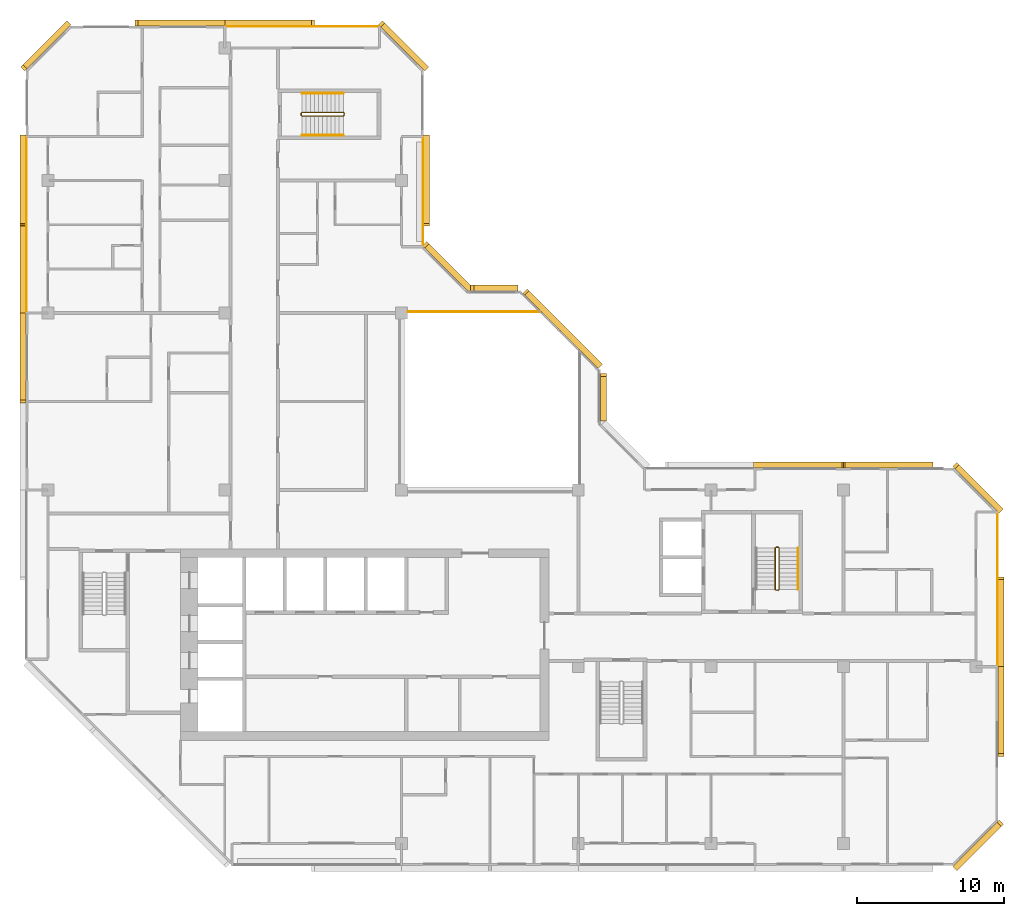
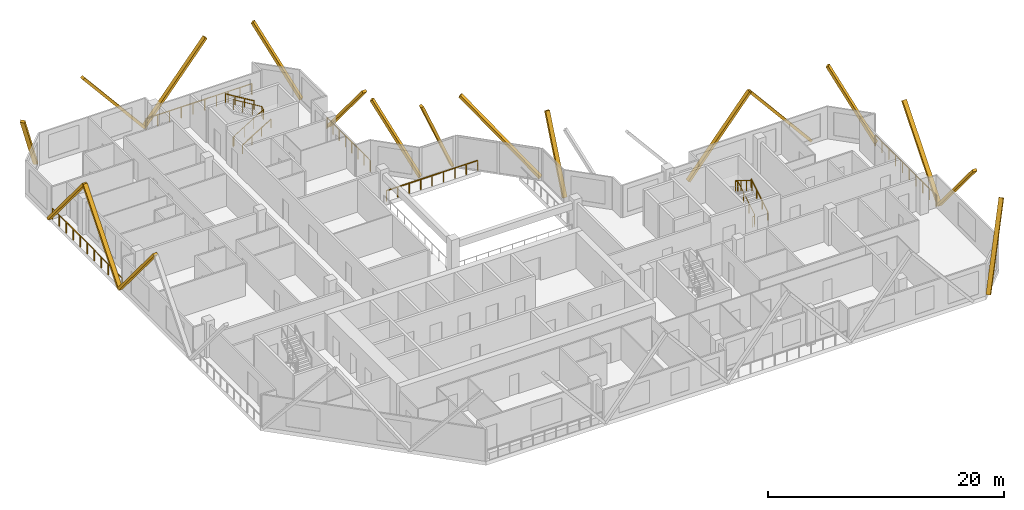
# One storey, part 13 of 13: 18 coverings, 10 railings.
"""IFC4 building model written with IfcOpenShell, lengths in metres."""

from ifc_helpers import new_model, si_unit, direction, frame, origin, origin_2d, place, context, subcontext, project, spatial, rectangle, extrude, material, material_profile, profile_set, type_object, element, save


model = new_model("IFC4")

# Units and contexts
model_context = context("Model", 3, precision=1e-05, world=origin(), true_north=direction((0.0, 1.0)))
body_context = subcontext(model_context, "Body", "Model", "MODEL_VIEW")
ifc_project = project(units=[si_unit("LENGTHUNIT", "METRE"), si_unit("AREAUNIT", "SQUARE_METRE"), si_unit("VOLUMEUNIT", "CUBIC_METRE"), si_unit("PLANEANGLEUNIT", "RADIAN"), si_unit("MASSUNIT", "GRAM", prefix="KILO")], contexts=[model_context])

# Site, building, storey
site_placement = place(None, origin())
site = spatial("IfcSite", under=ifc_project, at=site_placement, CompositionType="ELEMENT")
building_placement = place(site_placement, origin())
building = spatial("IfcBuilding", under=site, at=building_placement, Name="Chenar Terraces", CompositionType="ELEMENT")
storey_placement = place(building_placement, frame((0.0, 0.0, 295.89990234375)))
storey = spatial("IfcBuildingStorey", under=building, at=storey_placement, Name="L69", CompositionType="ELEMENT", Elevation=295.89990234375)

# Railings
ifc_material_1 = material(Name="Powder-coated steel", Category="steel")
railing_type_1 = type_object("IfcRailingType", Name="Guard 1100 steel rail with glass infill", PredefinedType="GUARDRAIL", material=ifc_material_1)
railing_1_placement = place(storey_placement, frame((24.449951171875, 36.10009765625, 0.0)))
element("IfcRailing", 1, at=railing_1_placement, inside=storey, type_object=railing_type_1, Name="Guard L69-2", PredefinedType="GUARDRAIL", context=body_context, shape_type="SweptSolid", body=[
    extrude(rectangle(XDim=0.06005859375, YDim=0.06005859375, at=origin_2d()), frame((0.0, 0.0, 1.070068359375), z_axis=(1.0, 0.0, 0.0), x_axis=(0.0, 1.0, 0.0)), (0.0, 0.0, 1.0), 8.949951171875),
    extrude(rectangle(XDim=0.050048828125, YDim=0.050048828125, at=origin_2d()), origin(), (0.0, 0.0, 1.0), 1.0400390625),
    extrude(rectangle(XDim=0.050048828125, YDim=0.050048828125, at=origin_2d()), frame((1.11865234375, 0.0, 0.0)), (0.0, 0.0, 1.0), 1.0400390625),
    extrude(rectangle(XDim=0.050048828125, YDim=0.050048828125, at=origin_2d()), frame((2.237548828125, 0.0, 0.0)), (0.0, 0.0, 1.0), 1.0400390625),
    extrude(rectangle(XDim=0.050048828125, YDim=0.050048828125, at=origin_2d()), frame((3.356201171875, 0.0, 0.0)), (0.0, 0.0, 1.0), 1.0400390625),
    extrude(rectangle(XDim=0.050048828125, YDim=0.050048828125, at=origin_2d()), frame((4.47509765625, 0.0, 0.0)), (0.0, 0.0, 1.0), 1.0400390625),
    extrude(rectangle(XDim=0.050048828125, YDim=0.050048828125, at=origin_2d()), frame((5.59375, 0.0, 0.0)), (0.0, 0.0, 1.0), 1.0400390625),
    extrude(rectangle(XDim=0.050048828125, YDim=0.050048828125, at=origin_2d()), frame((6.71240234375, 0.0, 0.0)), (0.0, 0.0, 1.0), 1.0400390625),
    extrude(rectangle(XDim=0.050048828125, YDim=0.050048828125, at=origin_2d()), frame((7.831298828125, 0.0, 0.0)), (0.0, 0.0, 1.0), 1.0400390625),
    extrude(rectangle(XDim=0.050048828125, YDim=0.050048828125, at=origin_2d()), frame((8.949951171875, 0.0, 0.0)), (0.0, 0.0, 1.0), 1.0400390625),
])
ifc_material_2 = material(Name="Stainless steel and glass", Category="steel")
railing_type_2 = type_object("IfcRailingType", Name="Loggia guard 1150", PredefinedType="GUARDRAIL", material=ifc_material_2)
railing_2_placement = place(storey_placement, frame((25.449951171875, 40.574951171875, 0.0)))
element("IfcRailing", 2, at=railing_2_placement, inside=storey, type_object=railing_type_2, Name="Loggia guard", PredefinedType="GUARDRAIL", context=body_context, shape_type="SweptSolid", body=[
    extrude(rectangle(XDim=0.048095703125, YDim=0.048095703125, at=origin_2d()), frame((0.0, 0.0, 1.1259765625), z_axis=(0.0, 1.0, 0.0), x_axis=(-1.0, 0.0, 0.0)), (0.0, 0.0, 1.0), 7.35009765625),
    extrude(rectangle(XDim=0.0419921875, YDim=0.0419921875, at=origin_2d()), origin(), (0.0, 0.0, 1.0), 1.101806640625),
    extrude(rectangle(XDim=0.0419921875, YDim=0.0419921875, at=origin_2d()), frame((0.0, 1.050048828125, 0.0)), (0.0, 0.0, 1.0), 1.101806640625),
    extrude(rectangle(XDim=0.0419921875, YDim=0.0419921875, at=origin_2d()), frame((0.0, 2.10009765625, 0.0)), (0.0, 0.0, 1.0), 1.101806640625),
    extrude(rectangle(XDim=0.0419921875, YDim=0.0419921875, at=origin_2d()), frame((0.0, 3.150146484375, 0.0)), (0.0, 0.0, 1.0), 1.101806640625),
    extrude(rectangle(XDim=0.0419921875, YDim=0.0419921875, at=origin_2d()), frame((0.0, 4.199951171875, 0.0)), (0.0, 0.0, 1.0), 1.101806640625),
    extrude(rectangle(XDim=0.0419921875, YDim=0.0419921875, at=origin_2d()), frame((0.0, 5.25, 0.0)), (0.0, 0.0, 1.0), 1.101806640625),
    extrude(rectangle(XDim=0.0419921875, YDim=0.0419921875, at=origin_2d()), frame((0.0, 6.300048828125, 0.0)), (0.0, 0.0, 1.0), 1.101806640625),
    extrude(rectangle(XDim=0.0419921875, YDim=0.0419921875, at=origin_2d()), frame((0.0, 7.35009765625, 0.0)), (0.0, 0.0, 1.0), 1.101806640625),
])
railing_3_placement = place(storey_placement, frame((64.449951171875, 12.074951171875, 0.0)))
element("IfcRailing", 3, at=railing_3_placement, inside=storey, type_object=railing_type_2, Name="Loggia guard", PredefinedType="GUARDRAIL", context=body_context, shape_type="SweptSolid", body=[
    extrude(rectangle(XDim=0.048095703125, YDim=0.048095703125, at=origin_2d()), frame((0.0, 0.0, 1.1259765625), z_axis=(0.0, 1.0, 0.0), x_axis=(-1.0, 0.0, 0.0)), (0.0, 0.0, 1.0), 10.35009765625),
    extrude(rectangle(XDim=0.0419921875, YDim=0.0419921875, at=origin_2d()), origin(), (0.0, 0.0, 1.0), 1.101806640625),
    extrude(rectangle(XDim=0.0419921875, YDim=0.0419921875, at=origin_2d()), frame((0.0, 1.14990234375, 0.0)), (0.0, 0.0, 1.0), 1.101806640625),
    extrude(rectangle(XDim=0.0419921875, YDim=0.0419921875, at=origin_2d()), frame((0.0, 2.300048828125, 0.0)), (0.0, 0.0, 1.0), 1.101806640625),
    extrude(rectangle(XDim=0.0419921875, YDim=0.0419921875, at=origin_2d()), frame((0.0, 3.449951171875, 0.0)), (0.0, 0.0, 1.0), 1.101806640625),
    extrude(rectangle(XDim=0.0419921875, YDim=0.0419921875, at=origin_2d()), frame((0.0, 4.60009765625, 0.0)), (0.0, 0.0, 1.0), 1.101806640625),
    extrude(rectangle(XDim=0.0419921875, YDim=0.0419921875, at=origin_2d()), frame((0.0, 5.75, 0.0)), (0.0, 0.0, 1.0), 1.101806640625),
    extrude(rectangle(XDim=0.0419921875, YDim=0.0419921875, at=origin_2d()), frame((0.0, 6.900146484375, 0.0)), (0.0, 0.0, 1.0), 1.101806640625),
    extrude(rectangle(XDim=0.0419921875, YDim=0.0419921875, at=origin_2d()), frame((0.0, 8.050048828125, 0.0)), (0.0, 0.0, 1.0), 1.101806640625),
    extrude(rectangle(XDim=0.0419921875, YDim=0.0419921875, at=origin_2d()), frame((0.0, 9.2001953125, 0.0)), (0.0, 0.0, 1.0), 1.101806640625),
    extrude(rectangle(XDim=0.0419921875, YDim=0.0419921875, at=origin_2d()), frame((0.0, 10.35009765625, 0.0)), (0.0, 0.0, 1.0), 1.101806640625),
])
railing_4_placement = place(storey_placement, frame((22.425048828125, 55.449951171875, 0.0)))
element("IfcRailing", 4, at=railing_4_placement, inside=storey, type_object=railing_type_2, Name="Loggia guard", PredefinedType="GUARDRAIL", context=body_context, shape_type="SweptSolid", body=[
    extrude(rectangle(XDim=0.048095703125, YDim=0.048095703125, at=origin_2d()), frame((0.0, 0.0, 1.1259765625), z_axis=(-1.0, 0.0, 0.0), x_axis=(0.0, -1.0, 0.0)), (0.0, 0.0, 1.0), 10.35009765625),
    extrude(rectangle(XDim=0.0419921875, YDim=0.0419921875, at=origin_2d()), origin(), (0.0, 0.0, 1.0), 1.101806640625),
    extrude(rectangle(XDim=0.0419921875, YDim=0.0419921875, at=origin_2d()), frame((-1.14990234375, 0.0, 0.0)), (0.0, 0.0, 1.0), 1.101806640625),
    extrude(rectangle(XDim=0.0419921875, YDim=0.0419921875, at=origin_2d()), frame((-2.300048828125, 0.0, 0.0)), (0.0, 0.0, 1.0), 1.101806640625),
    extrude(rectangle(XDim=0.0419921875, YDim=0.0419921875, at=origin_2d()), frame((-3.449951171875, 0.0, 0.0)), (0.0, 0.0, 1.0), 1.101806640625),
    extrude(rectangle(XDim=0.0419921875, YDim=0.0419921875, at=origin_2d()), frame((-4.60009765625, 0.0, 0.0)), (0.0, 0.0, 1.0), 1.101806640625),
    extrude(rectangle(XDim=0.0419921875, YDim=0.0419921875, at=origin_2d()), frame((-5.75, 0.0, 0.0)), (0.0, 0.0, 1.0), 1.101806640625),
    extrude(rectangle(XDim=0.0419921875, YDim=0.0419921875, at=origin_2d()), frame((-6.900146484375, 0.0, 0.0)), (0.0, 0.0, 1.0), 1.101806640625),
    extrude(rectangle(XDim=0.0419921875, YDim=0.0419921875, at=origin_2d()), frame((-8.050048828125, 0.0, 0.0)), (0.0, 0.0, 1.0), 1.101806640625),
    extrude(rectangle(XDim=0.0419921875, YDim=0.0419921875, at=origin_2d()), frame((-9.2001953125, 0.0, 0.0)), (0.0, 0.0, 1.0), 1.101806640625),
    extrude(rectangle(XDim=0.0419921875, YDim=0.0419921875, at=origin_2d()), frame((-10.35009765625, 0.0, 0.0)), (0.0, 0.0, 1.0), 1.101806640625),
])
railing_5_placement = place(storey_placement, frame((-1.449951171875, 47.925048828125, 0.0)))
element("IfcRailing", 5, at=railing_5_placement, inside=storey, type_object=railing_type_2, Name="Loggia guard", PredefinedType="GUARDRAIL", context=body_context, shape_type="SweptSolid", body=[
    extrude(rectangle(XDim=0.048095703125, YDim=0.048095703125, at=origin_2d()), frame((0.0, 0.0, 1.1259765625), z_axis=(0.0, -1.0, 0.0), x_axis=(1.0, 0.0, 0.0)), (0.0, 0.0, 1.0), 11.85009765625),
    extrude(rectangle(XDim=0.0419921875, YDim=0.0419921875, at=origin_2d()), origin(), (0.0, 0.0, 1.0), 1.101806640625),
    extrude(rectangle(XDim=0.0419921875, YDim=0.0419921875, at=origin_2d()), frame((0.0, -1.18505859375, 0.0)), (0.0, 0.0, 1.0), 1.101806640625),
    extrude(rectangle(XDim=0.0419921875, YDim=0.0419921875, at=origin_2d()), frame((0.0, -2.3701171875, 0.0)), (0.0, 0.0, 1.0), 1.101806640625),
    extrude(rectangle(XDim=0.0419921875, YDim=0.0419921875, at=origin_2d()), frame((0.0, -3.554931640625, 0.0)), (0.0, 0.0, 1.0), 1.101806640625),
    extrude(rectangle(XDim=0.0419921875, YDim=0.0419921875, at=origin_2d()), frame((0.0, -4.739990234375, 0.0)), (0.0, 0.0, 1.0), 1.101806640625),
    extrude(rectangle(XDim=0.0419921875, YDim=0.0419921875, at=origin_2d()), frame((0.0, -5.925048828125, 0.0)), (0.0, 0.0, 1.0), 1.101806640625),
    extrude(rectangle(XDim=0.0419921875, YDim=0.0419921875, at=origin_2d()), frame((0.0, -7.110107421875, 0.0)), (0.0, 0.0, 1.0), 1.101806640625),
    extrude(rectangle(XDim=0.0419921875, YDim=0.0419921875, at=origin_2d()), frame((0.0, -8.295166015625, 0.0)), (0.0, 0.0, 1.0), 1.101806640625),
    extrude(rectangle(XDim=0.0419921875, YDim=0.0419921875, at=origin_2d()), frame((0.0, -9.47998046875, 0.0)), (0.0, 0.0, 1.0), 1.101806640625),
    extrude(rectangle(XDim=0.0419921875, YDim=0.0419921875, at=origin_2d()), frame((0.0, -10.6650390625, 0.0)), (0.0, 0.0, 1.0), 1.101806640625),
    extrude(rectangle(XDim=0.0419921875, YDim=0.0419921875, at=origin_2d()), frame((0.0, -11.85009765625, 0.0)), (0.0, 0.0, 1.0), 1.101806640625),
])
ifc_material_3 = material(Name="Powder-coated steel", Category="steel")
railing_type_3 = type_object("IfcRailingType", Name="Stair guard 1100", PredefinedType="GUARDRAIL", material=ifc_material_3)
railing_6_placement = place(storey_placement, frame((49.375, 17.25, 3.75)))
element("IfcRailing", 6, at=railing_6_placement, inside=storey, type_object=railing_type_3, Name="L69 ST3 stair guard 1", PredefinedType="GUARDRAIL", context=body_context, shape_type="SweptSolid", body=[
    extrude(rectangle(XDim=0.048095703125, YDim=0.048095703125, at=origin_2d()), frame((0.0, 0.0, 1.076171875), z_axis=(0.0, 0.854202870247, -0.519939858505), x_axis=(-1.0, 0.0, 0.0)), (0.0, 0.0, 1.0), 3.278076171875),
    extrude(rectangle(XDim=0.048095703125, YDim=0.048095703125, at=origin_2d()), frame((0.0, 2.800048828125, -0.62841796875), z_axis=(0.270899902878, 0.270899902878, -0.923702595667), x_axis=(-0.707106781187, 0.707106781187, 0.0)), (0.0, 0.0, 1.0), 0.184814453125),
    extrude(rectangle(XDim=0.048095703125, YDim=0.048095703125, at=origin_2d()), frame((0.050048828125, 2.85009765625, -0.798828125), z_axis=(1.0, 0.0, 0.0), x_axis=(0.0, 1.0, 0.0)), (0.0, 0.0, 1.0), 0.14990234375),
    extrude(rectangle(XDim=0.048095703125, YDim=0.048095703125, at=origin_2d()), frame((0.199951171875, 2.85009765625, -0.798828125), z_axis=(0.707106781187, -0.707106781187, 0.0), x_axis=(0.707106781187, 0.707106781187, 0.0)), (0.0, 0.0, 1.0), 0.07080078125),
    extrude(rectangle(XDim=0.048095703125, YDim=0.048095703125, at=origin_2d()), frame((0.25, 2.800048828125, -0.798828125), z_axis=(0.0, -0.854202870247, -0.519939858505), x_axis=(1.0, 0.0, 0.0)), (0.0, 0.0, 1.0), 3.278076171875),
    extrude(rectangle(XDim=0.048095703125, YDim=0.048095703125, at=origin_2d()), frame((0.25, 0.0, -2.50341796875), z_axis=(-0.270899902878, -0.270899902878, -0.923702595667), x_axis=(0.707106781187, -0.707106781187, 0.0)), (0.0, 0.0, 1.0), 0.184814453125),
    extrude(rectangle(XDim=0.048095703125, YDim=0.048095703125, at=origin_2d()), frame((0.199951171875, -0.050048828125, -2.673828125), z_axis=(-1.0, 0.0, 0.0), x_axis=(0.0, -1.0, 0.0)), (0.0, 0.0, 1.0), 0.14990234375),
    extrude(rectangle(XDim=0.0419921875, YDim=0.0419921875, at=origin_2d()), origin(), (0.0, 0.0, 1.0), 1.052001953125),
    extrude(rectangle(XDim=0.0419921875, YDim=0.0419921875, at=origin_2d()), frame((0.0, 0.933349609375, -0.568115234375)), (0.0, 0.0, 1.0), 1.052001953125),
    extrude(rectangle(XDim=0.0419921875, YDim=0.0419921875, at=origin_2d()), frame((0.0, 1.86669921875, -1.13623046875)), (0.0, 0.0, 1.0), 1.052001953125),
    extrude(rectangle(XDim=0.0419921875, YDim=0.0419921875, at=origin_2d()), frame((0.0, 2.800048828125, -1.704345703125)), (0.0, 0.0, 1.0), 1.052001953125),
    extrude(rectangle(XDim=0.0419921875, YDim=0.0419921875, at=origin_2d()), frame((0.050048828125, 2.85009765625, -1.875)), (0.0, 0.0, 1.0), 1.052001953125),
    extrude(rectangle(XDim=0.0419921875, YDim=0.0419921875, at=origin_2d()), frame((0.199951171875, 2.85009765625, -1.875)), (0.0, 0.0, 1.0), 1.052001953125),
    extrude(rectangle(XDim=0.0419921875, YDim=0.0419921875, at=origin_2d()), frame((0.25, 2.800048828125, -1.875)), (0.0, 0.0, 1.0), 1.052001953125),
    extrude(rectangle(XDim=0.0419921875, YDim=0.0419921875, at=origin_2d()), frame((0.25, 1.86669921875, -2.443115234375)), (0.0, 0.0, 1.0), 1.052001953125),
    extrude(rectangle(XDim=0.0419921875, YDim=0.0419921875, at=origin_2d()), frame((0.25, 0.933349609375, -3.01123046875)), (0.0, 0.0, 1.0), 1.052001953125),
    extrude(rectangle(XDim=0.0419921875, YDim=0.0419921875, at=origin_2d()), frame((0.25, 0.0, -3.579345703125)), (0.0, 0.0, 1.0), 1.052001953125),
    extrude(rectangle(XDim=0.0419921875, YDim=0.0419921875, at=origin_2d()), frame((0.199951171875, -0.050048828125, -3.75)), (0.0, 0.0, 1.0), 1.052001953125),
    extrude(rectangle(XDim=0.0419921875, YDim=0.0419921875, at=origin_2d()), frame((0.050048828125, -0.050048828125, -3.75)), (0.0, 0.0, 1.0), 1.052001953125),
])
railing_7_placement = place(storey_placement, frame((17.25, 49.625, 3.75)))
element("IfcRailing", 7, at=railing_7_placement, inside=storey, type_object=railing_type_3, Name="L69 ST4 stair guard 1", PredefinedType="GUARDRAIL", context=body_context, shape_type="SweptSolid", body=[
    extrude(rectangle(XDim=0.048095703125, YDim=0.048095703125, at=origin_2d()), frame((0.0, 0.0, 1.076171875), z_axis=(0.854202870247, 0.0, -0.519939858505), x_axis=(0.0, 1.0, 0.0)), (0.0, 0.0, 1.0), 3.278076171875),
    extrude(rectangle(XDim=0.048095703125, YDim=0.048095703125, at=origin_2d()), frame((2.800048828125, 0.0, -0.62841796875), z_axis=(0.270899902878, -0.270899902878, -0.923702595667), x_axis=(0.707106781187, 0.707106781187, 0.0)), (0.0, 0.0, 1.0), 0.184814453125),
    extrude(rectangle(XDim=0.048095703125, YDim=0.048095703125, at=origin_2d()), frame((2.85009765625, -0.050048828125, -0.798828125), z_axis=(0.0, -1.0, 0.0), x_axis=(1.0, 0.0, 0.0)), (0.0, 0.0, 1.0), 0.14990234375),
    extrude(rectangle(XDim=0.048095703125, YDim=0.048095703125, at=origin_2d()), frame((2.85009765625, -0.199951171875, -0.798828125), z_axis=(-0.707106781187, -0.707106781187, 0.0), x_axis=(0.707106781187, -0.707106781187, 0.0)), (0.0, 0.0, 1.0), 0.07080078125),
    extrude(rectangle(XDim=0.048095703125, YDim=0.048095703125, at=origin_2d()), frame((2.800048828125, -0.25, -0.798828125), z_axis=(-0.854202870247, 0.0, -0.519939858505), x_axis=(0.0, -1.0, 0.0)), (0.0, 0.0, 1.0), 3.278076171875),
    extrude(rectangle(XDim=0.048095703125, YDim=0.048095703125, at=origin_2d()), frame((0.0, -0.25, -2.50341796875), z_axis=(-0.270899902878, 0.270899902878, -0.923702595667), x_axis=(-0.707106781187, -0.707106781187, 0.0)), (0.0, 0.0, 1.0), 0.184814453125),
    extrude(rectangle(XDim=0.048095703125, YDim=0.048095703125, at=origin_2d()), frame((-0.050048828125, -0.199951171875, -2.673828125), z_axis=(0.0, 1.0, 0.0), x_axis=(-1.0, 0.0, 0.0)), (0.0, 0.0, 1.0), 0.14990234375),
    extrude(rectangle(XDim=0.0419921875, YDim=0.0419921875, at=origin_2d()), origin(), (0.0, 0.0, 1.0), 1.052001953125),
    extrude(rectangle(XDim=0.0419921875, YDim=0.0419921875, at=origin_2d()), frame((0.933349609375, 0.0, -0.568115234375)), (0.0, 0.0, 1.0), 1.052001953125),
    extrude(rectangle(XDim=0.0419921875, YDim=0.0419921875, at=origin_2d()), frame((1.86669921875, 0.0, -1.13623046875)), (0.0, 0.0, 1.0), 1.052001953125),
    extrude(rectangle(XDim=0.0419921875, YDim=0.0419921875, at=origin_2d()), frame((2.800048828125, 0.0, -1.704345703125)), (0.0, 0.0, 1.0), 1.052001953125),
    extrude(rectangle(XDim=0.0419921875, YDim=0.0419921875, at=origin_2d()), frame((2.85009765625, -0.050048828125, -1.875)), (0.0, 0.0, 1.0), 1.052001953125),
    extrude(rectangle(XDim=0.0419921875, YDim=0.0419921875, at=origin_2d()), frame((2.85009765625, -0.199951171875, -1.875)), (0.0, 0.0, 1.0), 1.052001953125),
    extrude(rectangle(XDim=0.0419921875, YDim=0.0419921875, at=origin_2d()), frame((2.800048828125, -0.25, -1.875)), (0.0, 0.0, 1.0), 1.052001953125),
    extrude(rectangle(XDim=0.0419921875, YDim=0.0419921875, at=origin_2d()), frame((1.86669921875, -0.25, -2.443115234375)), (0.0, 0.0, 1.0), 1.052001953125),
    extrude(rectangle(XDim=0.0419921875, YDim=0.0419921875, at=origin_2d()), frame((0.933349609375, -0.25, -3.01123046875)), (0.0, 0.0, 1.0), 1.052001953125),
    extrude(rectangle(XDim=0.0419921875, YDim=0.0419921875, at=origin_2d()), frame((0.0, -0.25, -3.579345703125)), (0.0, 0.0, 1.0), 1.052001953125),
    extrude(rectangle(XDim=0.0419921875, YDim=0.0419921875, at=origin_2d()), frame((-0.050048828125, -0.199951171875, -3.75)), (0.0, 0.0, 1.0), 1.052001953125),
    extrude(rectangle(XDim=0.0419921875, YDim=0.0419921875, at=origin_2d()), frame((-0.050048828125, -0.050048828125, -3.75)), (0.0, 0.0, 1.0), 1.052001953125),
])
ifc_material_4 = material(Name="Powder-coated steel", Category="steel")
railing_type_4 = type_object("IfcRailingType", Name="Stair handrail 900", PredefinedType="HANDRAIL", material=ifc_material_4)
railing_8_placement = place(storey_placement, frame((50.925048828125, 17.25, 0.170654296875)))
element("IfcRailing", 8, at=railing_8_placement, inside=storey, type_object=railing_type_4, Name="L69 ST3 stair handrail 1", PredefinedType="HANDRAIL", context=body_context, shape_type="SweptSolid", body=[
    extrude(rectangle(XDim=0.048095703125, YDim=0.048095703125, at=origin_2d()), frame((0.0, 0.0, 0.8759765625), z_axis=(0.0, 0.854202870247, 0.519939858505), x_axis=(-1.0, 0.0, 0.0)), (0.0, 0.0, 1.0), 3.278076171875),
    extrude(rectangle(XDim=0.0419921875, YDim=0.0419921875, at=origin_2d()), origin(), (0.0, 0.0, 1.0), 0.851806640625),
    extrude(rectangle(XDim=0.0419921875, YDim=0.0419921875, at=origin_2d()), frame((0.0, 0.933349609375, 0.568115234375)), (0.0, 0.0, 1.0), 0.851806640625),
    extrude(rectangle(XDim=0.0419921875, YDim=0.0419921875, at=origin_2d()), frame((0.0, 1.86669921875, 1.13623046875)), (0.0, 0.0, 1.0), 0.851806640625),
    extrude(rectangle(XDim=0.0419921875, YDim=0.0419921875, at=origin_2d()), frame((0.0, 2.800048828125, 1.704345703125)), (0.0, 0.0, 1.0), 0.851806640625),
])
railing_9_placement = place(storey_placement, frame((17.25, 48.074951171875, 0.170654296875)))
element("IfcRailing", 9, at=railing_9_placement, inside=storey, type_object=railing_type_4, Name="L69 ST4 stair handrail 1", PredefinedType="HANDRAIL", context=body_context, shape_type="SweptSolid", body=[
    extrude(rectangle(XDim=0.048095703125, YDim=0.048095703125, at=origin_2d()), frame((0.0, 0.0, 0.8759765625), z_axis=(0.854202870247, 0.0, 0.519939858505), x_axis=(0.0, 1.0, 0.0)), (0.0, 0.0, 1.0), 3.278076171875),
    extrude(rectangle(XDim=0.0419921875, YDim=0.0419921875, at=origin_2d()), origin(), (0.0, 0.0, 1.0), 0.851806640625),
    extrude(rectangle(XDim=0.0419921875, YDim=0.0419921875, at=origin_2d()), frame((0.933349609375, 0.0, 0.568115234375)), (0.0, 0.0, 1.0), 0.851806640625),
    extrude(rectangle(XDim=0.0419921875, YDim=0.0419921875, at=origin_2d()), frame((1.86669921875, 0.0, 1.13623046875)), (0.0, 0.0, 1.0), 0.851806640625),
    extrude(rectangle(XDim=0.0419921875, YDim=0.0419921875, at=origin_2d()), frame((2.800048828125, 0.0, 1.704345703125)), (0.0, 0.0, 1.0), 0.851806640625),
])
railing_10_placement = place(storey_placement, frame((20.050048828125, 50.925048828125, 2.045654296875)))
element("IfcRailing", 10, at=railing_10_placement, inside=storey, type_object=railing_type_4, Name="L69 ST4 stair handrail 2", PredefinedType="HANDRAIL", context=body_context, shape_type="SweptSolid", body=[
    extrude(rectangle(XDim=0.048095703125, YDim=0.048095703125, at=origin_2d()), frame((0.0, 0.0, 0.8759765625), z_axis=(-0.854202870247, 0.0, 0.519939858505), x_axis=(0.0, -1.0, 0.0)), (0.0, 0.0, 1.0), 3.278076171875),
    extrude(rectangle(XDim=0.0419921875, YDim=0.0419921875, at=origin_2d()), origin(), (0.0, 0.0, 1.0), 0.851806640625),
    extrude(rectangle(XDim=0.0419921875, YDim=0.0419921875, at=origin_2d()), frame((-0.933349609375, 0.0, 0.568115234375)), (0.0, 0.0, 1.0), 0.851806640625),
    extrude(rectangle(XDim=0.0419921875, YDim=0.0419921875, at=origin_2d()), frame((-1.86669921875, 0.0, 1.13623046875)), (0.0, 0.0, 1.0), 0.851806640625),
    extrude(rectangle(XDim=0.0419921875, YDim=0.0419921875, at=origin_2d()), frame((-2.800048828125, 0.0, 1.704345703125)), (0.0, 0.0, 1.0), 0.851806640625),
])

# Coverings
ifc_material_5 = material(Name="Terracotta", Category="masonry")
ifc_material_profile = material_profile(ifc_material_5, rectangle(XDim=0.39990234375, YDim=0.25, at=origin_2d()), Name="Terracotta baguette 400 x 250")
ifc_profile_set = profile_set([ifc_material_profile], Name="Terracotta")
covering_type = type_object("IfcCoveringType", Name="Terracotta baguette 400 x 250", PredefinedType="CLADDING", material=ifc_profile_set)
for number, where, z_axis, x_axis, name in (
    (11, (60.0, 25.699951171875, 0.150146484375), (-0.640186961885, 0.0, 0.768219144407), (0.0, -1.0, 0.0), "Terracotta baguette"),
    (12, (54.0, 25.699951171875, 7.35009765625), (-0.640186961885, 0.0, -0.768219144407), (0.0, -1.0, 0.0), "Terracotta baguette"),
):
    element("IfcCovering", number, at=place(storey_placement, frame(where, z_axis=z_axis, x_axis=x_axis)), inside=storey, type_object=covering_type, Name=name, PredefinedType="CLADDING", context=body_context, shape_type="SweptSolid", body=[
        extrude(rectangle(XDim=0.39990234375, YDim=0.25, at=origin_2d()), origin(), (0.0, 0.0, 1.0), 9.372314453125),
    ])
covering_1_placement = place(storey_placement, frame((37.699951171875, 28.800048828125, 0.150146484375), z_axis=(0.0, 0.384617607118, 0.923075997031), x_axis=(-1.0, 0.0, 0.0)))
element("IfcCovering", 13, at=covering_1_placement, inside=storey, type_object=covering_type, Name="Terracotta baguette", PredefinedType="CLADDING", context=body_context, shape_type="SweptSolid", body=[
    extrude(rectangle(XDim=0.39990234375, YDim=0.25, at=origin_2d()), origin(), (0.0, 0.0, 1.0), 7.800048828125),
])
covering_2_placement = place(storey_placement, frame((37.42919921875, 32.45361328125, 0.150146484375), z_axis=(-0.494222393737, 0.4942466441, 0.715167449151), x_axis=(-0.707124128605, -0.707089433343, 0.0)))
element("IfcCovering", 14, at=covering_2_placement, inside=storey, type_object=covering_type, Name="Terracotta baguette", PredefinedType="CLADDING", context=body_context, shape_type="SweptSolid", body=[
    extrude(rectangle(XDim=0.39990234375, YDim=0.25, at=origin_2d()), origin(), (0.0, 0.0, 1.0), 10.0673828125),
])
covering_3_placement = place(storey_placement, frame((31.800048828125, 37.699951171875, 0.150146484375), z_axis=(-0.384617607118, 0.0, 0.923075997031), x_axis=(0.0, -1.0, 0.0)))
element("IfcCovering", 15, at=covering_3_placement, inside=storey, type_object=covering_type, Name="Terracotta baguette", PredefinedType="CLADDING", context=body_context, shape_type="SweptSolid", body=[
    extrude(rectangle(XDim=0.39990234375, YDim=0.25, at=origin_2d()), origin(), (0.0, 0.0, 1.0), 7.800048828125),
])
covering_4_placement = place(storey_placement, frame((28.641357421875, 37.641357421875, 0.150146484375), z_axis=(-0.358980886355, 0.358980886355, 0.861548284464), x_axis=(-0.707106781187, -0.707106781187, 0.0)))
element("IfcCovering", 16, at=covering_4_placement, inside=storey, type_object=covering_type, Name="Terracotta baguette", PredefinedType="CLADDING", context=body_context, shape_type="SweptSolid", body=[
    extrude(rectangle(XDim=0.39990234375, YDim=0.25, at=origin_2d()), origin(), (0.0, 0.0, 1.0), 8.35693359375),
])
covering_5_placement = place(storey_placement, frame((25.699951171875, 42.0, 7.35009765625), z_axis=(0.0, 0.640186961885, -0.768219144407), x_axis=(-1.0, 0.0, 0.0)))
element("IfcCovering", 17, at=covering_5_placement, inside=storey, type_object=covering_type, Name="Terracotta baguette", PredefinedType="CLADDING", context=body_context, shape_type="SweptSolid", body=[
    extrude(rectangle(XDim=0.39990234375, YDim=0.25, at=origin_2d()), origin(), (0.0, 0.0, 1.0), 9.372314453125),
])
covering_6_placement = place(storey_placement, frame((25.641357421875, 52.641357421875, 0.150146484375), z_axis=(-0.358980886355, 0.358980886355, 0.861548284464), x_axis=(-0.707106781187, -0.707106781187, 0.0)))
element("IfcCovering", 18, at=covering_6_placement, inside=storey, type_object=covering_type, Name="Terracotta baguette", PredefinedType="CLADDING", context=body_context, shape_type="SweptSolid", body=[
    extrude(rectangle(XDim=0.39990234375, YDim=0.25, at=origin_2d()), origin(), (0.0, 0.0, 1.0), 8.35693359375),
])
for number, where, z_axis, x_axis, name in (
    (19, (18.0, 55.699951171875, 7.35009765625), (-0.640186961885, 0.0, -0.768219144407), (0.0, -1.0, 0.0), "Terracotta baguette"),
    (20, (12.0, 55.699951171875, 0.150146484375), (-0.640186961885, 0.0, 0.768219144407), (0.0, -1.0, 0.0), "Terracotta baguette"),
):
    element("IfcCovering", number, at=place(storey_placement, frame(where, z_axis=z_axis, x_axis=x_axis)), inside=storey, type_object=covering_type, Name=name, PredefinedType="CLADDING", context=body_context, shape_type="SweptSolid", body=[
        extrude(rectangle(XDim=0.39990234375, YDim=0.25, at=origin_2d()), origin(), (0.0, 0.0, 1.0), 9.372314453125),
    ])
covering_7_placement = place(storey_placement, frame((1.358642578125, 55.641357421875, 0.150146484375), z_axis=(-0.358980886355, -0.358980886355, 0.861548284464), x_axis=(0.707106781187, -0.707106781187, 0.0)))
element("IfcCovering", 21, at=covering_7_placement, inside=storey, type_object=covering_type, Name="Terracotta baguette", PredefinedType="CLADDING", context=body_context, shape_type="SweptSolid", body=[
    extrude(rectangle(XDim=0.39990234375, YDim=0.25, at=origin_2d()), origin(), (0.0, 0.0, 1.0), 8.35693359375),
])
for number, where, z_axis, x_axis, name in (
    (22, (-1.699951171875, 48.0, 0.150146484375), (0.0, -0.640186961885, 0.768219144407), (1.0, 0.0, 0.0), "Terracotta baguette"),
    (23, (-1.699951171875, 42.0, 7.35009765625), (0.0, -0.640186961885, -0.768219144407), (1.0, 0.0, 0.0), "Terracotta baguette"),
    (24, (-1.699951171875, 36.0, 0.150146484375), (0.0, -0.640186961885, 0.768219144407), (1.0, 0.0, 0.0), "Terracotta baguette"),
):
    element("IfcCovering", number, at=place(storey_placement, frame(where, z_axis=z_axis, x_axis=x_axis)), inside=storey, type_object=covering_type, Name=name, PredefinedType="CLADDING", context=body_context, shape_type="SweptSolid", body=[
        extrude(rectangle(XDim=0.39990234375, YDim=0.25, at=origin_2d()), origin(), (0.0, 0.0, 1.0), 9.372314453125),
    ])
covering_8_placement = place(storey_placement, frame((61.641357421875, -1.641357421875, 0.150146484375), z_axis=(0.358980886355, 0.358980886355, 0.861548284464), x_axis=(-0.707106781187, 0.707106781187, 0.0)))
element("IfcCovering", 25, at=covering_8_placement, inside=storey, type_object=covering_type, Name="Terracotta baguette", PredefinedType="CLADDING", context=body_context, shape_type="SweptSolid", body=[
    extrude(rectangle(XDim=0.39990234375, YDim=0.25, at=origin_2d()), origin(), (0.0, 0.0, 1.0), 8.35693359375),
])
for number, where, z_axis, x_axis, name in (
    (26, (64.699951171875, 6.0, 7.35009765625), (0.0, 0.640186961885, -0.768219144407), (-1.0, 0.0, 0.0), "Terracotta baguette"),
    (27, (64.699951171875, 12.0, 0.150146484375), (0.0, 0.640186961885, 0.768219144407), (-1.0, 0.0, 0.0), "Terracotta baguette"),
):
    element("IfcCovering", number, at=place(storey_placement, frame(where, z_axis=z_axis, x_axis=x_axis)), inside=storey, type_object=covering_type, Name=name, PredefinedType="CLADDING", context=body_context, shape_type="SweptSolid", body=[
        extrude(rectangle(XDim=0.39990234375, YDim=0.25, at=origin_2d()), origin(), (0.0, 0.0, 1.0), 9.372314453125),
    ])
covering_9_placement = place(storey_placement, frame((64.641357421875, 22.641357421875, 0.150146484375), z_axis=(-0.358980886355, 0.358980886355, 0.861548284464), x_axis=(-0.707106781187, -0.707106781187, 0.0)))
element("IfcCovering", 28, at=covering_9_placement, inside=storey, type_object=covering_type, Name="Terracotta baguette", PredefinedType="CLADDING", context=body_context, shape_type="SweptSolid", body=[
    extrude(rectangle(XDim=0.39990234375, YDim=0.25, at=origin_2d()), origin(), (0.0, 0.0, 1.0), 8.35693359375),
])

save(model, "model.ifc")
